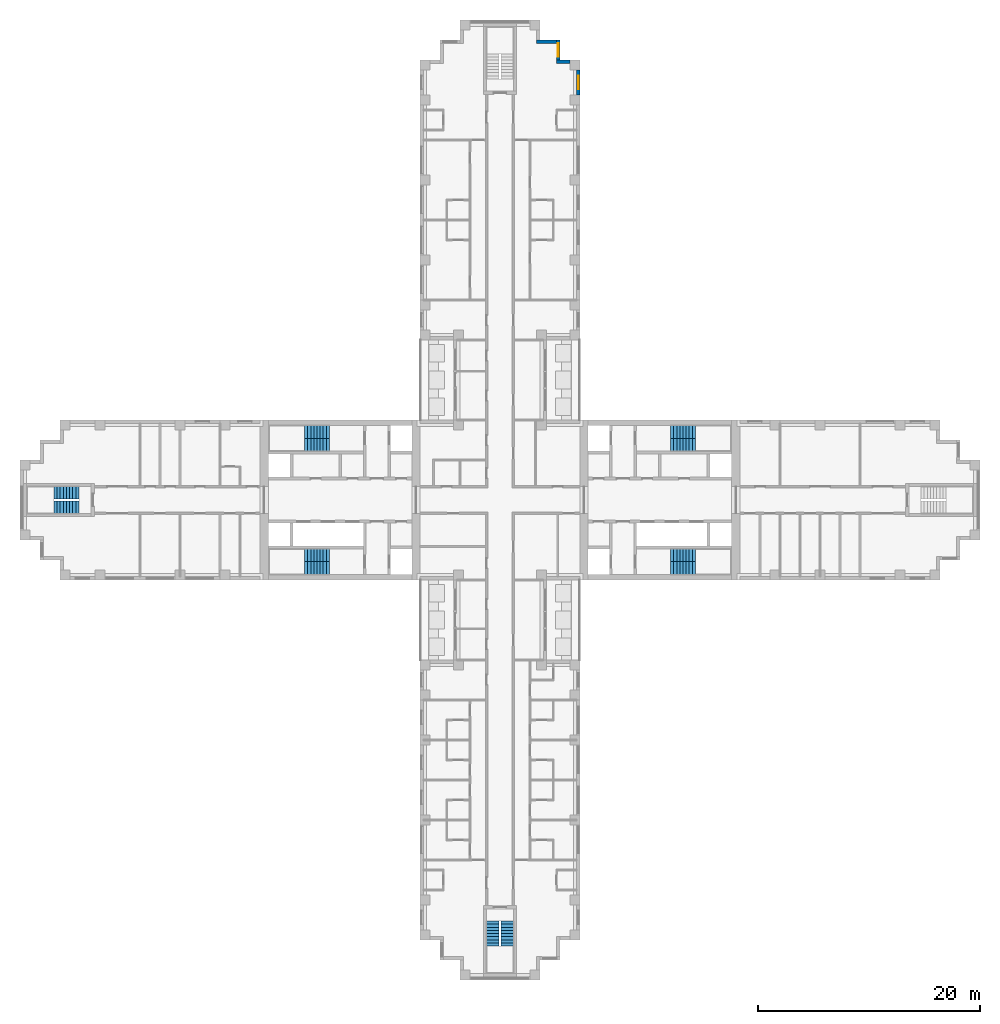
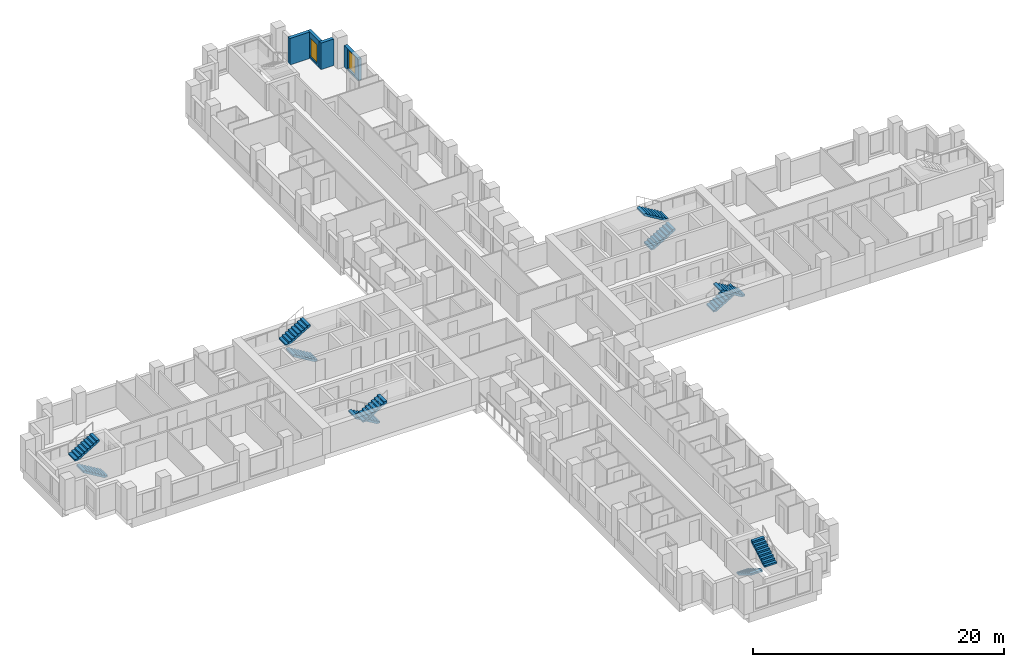
# One storey, part 13 of 16: 12 stair flights, 4 walls, 2 windows, 2 openings, 6 elements without a shape of their own.
"""IFC4 building model written with IfcOpenShell, lengths in metres."""

from ifc_helpers import new_model, si_unit, direction, frame, frame_2d, origin, place, context, subcontext, project, spatial, polyline, rectangle, outline, extrude, material, layer, layer_set, type_object, element, fill, aggregate, save


model = new_model("IFC4")

# Units and contexts
model_context = context("Model", 3, precision=1e-05, world=origin(), true_north=direction((0.0, 1.0)))
body_context = subcontext(model_context, "Body", "Model", "MODEL_VIEW")
ifc_project = project(units=[si_unit("LENGTHUNIT", "METRE"), si_unit("AREAUNIT", "SQUARE_METRE"), si_unit("VOLUMEUNIT", "CUBIC_METRE"), si_unit("PLANEANGLEUNIT", "RADIAN"), si_unit("MASSUNIT", "GRAM", prefix="KILO")], contexts=[model_context])

# Site, building, storey
site_placement = place(None, origin())
site = spatial("IfcSite", under=ifc_project, at=site_placement, CompositionType="ELEMENT")
building_placement = place(site_placement, origin())
building = spatial("IfcBuilding", under=site, at=building_placement, Name="Fustian Cross Tower", CompositionType="ELEMENT")
storey_placement = place(building_placement, frame((0.0, 0.0, 23.699951171875)))
storey = spatial("IfcBuildingStorey", under=building, at=storey_placement, Name="L06", CompositionType="ELEMENT", Elevation=23.699951171875)

# Wall, opening, window
ifc_material_1 = material(Name="Dark aluminium cladding on insulated backing wall", Category="aluminium")
ifc_layer = layer(ifc_material_1, 0.300048828125)
ifc_layer_set = layer_set([ifc_layer], Name="Dark aluminium cladding on insulated backing wall")
wall_type = type_object("IfcWallType", Name="XW1 EXTERNAL WALL 300", PredefinedType="SOLIDWALL", material=ifc_layer_set)
wall_1_placement = place(storey_placement, frame((7.050048828125, 36.449951171875, 0.0), z_axis=(0.0, 0.0, 1.0), x_axis=(0.0, 1.0, 0.0)))
wall_1 = element("IfcWall", 1, at=wall_1_placement, inside=storey, type_object=wall_type, Name="External wall", PredefinedType="SOLIDWALL", context=body_context, shape_type="SweptSolid", body=[
    extrude(rectangle(XDim=2.25, YDim=0.300048828125, at=frame_2d((1.125, 0.0))), origin(), (0.0, 0.0, 1.0), 2.10009765625),
])
opening_1_placement = place(wall_1_placement, frame((0.52490234375, 0.0, 0.199951171875)))
opening_1 = element("IfcOpeningElement", 2, at=opening_1_placement, cuts=wall_1, Name="Opening WN3", PredefinedType="OPENING", context=body_context, shape_type="SweptSolid", body=[
    extrude(rectangle(XDim=1.199951171875, YDim=1.85009765625, at=frame_2d((0.60009765625, 0.925048828125))), frame((0.0, 0.159912109375, 0.0), z_axis=(0.0, -1.0, 0.0), x_axis=(1.0, 0.0, 0.0)), (0.0, 0.0, 1.0), 0.320068359375),
])
ifc_material_2 = material(Name="Dark anodised aluminium and double glazing", Category="aluminium")
window_type = type_object("IfcWindowType", Name="WN3 WINDOW 1200X1850", PartitioningType="SINGLE_PANEL", PredefinedType="WINDOW", material=ifc_material_2)
window_1_placement = place(opening_1_placement, origin())
window_1 = element("IfcWindow", 3, at=window_1_placement, inside=storey, type_object=window_type, Name="Window", OverallHeight=1.85009765625, OverallWidth=1.199951171875, PartitioningType="SINGLE_PANEL", PredefinedType="WINDOW", context=body_context, shape_type="SweptSolid", body=[
    extrude(rectangle(XDim=1.199951171875, YDim=1.85009765625, at=frame_2d((0.60009765625, 0.925048828125))), frame((0.0, 0.030029296875, 0.0), z_axis=(0.0, -1.0, 0.0), x_axis=(1.0, 0.0, 0.0)), (0.0, 0.0, 1.0), 0.06005859375),
])
fill(opening_1, window_1)

# Wall
wall_2_placement = place(storey_placement, frame((6.300048828125, 39.449951171875, 0.0), z_axis=(0.0, 0.0, 1.0), x_axis=(-1.0, 0.0, 0.0)))
element("IfcWall", 4, at=wall_2_placement, inside=storey, type_object=wall_type, Name="External wall", PredefinedType="SOLIDWALL", context=body_context, shape_type="SweptSolid", body=[
    extrude(rectangle(XDim=1.199951171875, YDim=0.300048828125, at=frame_2d((0.60009765625, 0.0))), origin(), (0.0, 0.0, 1.0), 2.574951171875),
])

# Wall, opening, window
wall_3_placement = place(storey_placement, frame((5.25, 39.60009765625, 0.0), z_axis=(0.0, 0.0, 1.0), x_axis=(0.0, 1.0, 0.0)))
wall_3 = element("IfcWall", 5, at=wall_3_placement, inside=storey, type_object=wall_type, Name="External wall", PredefinedType="SOLIDWALL", context=body_context, shape_type="SweptSolid", body=[
    extrude(rectangle(XDim=1.7998046875, YDim=0.300048828125, at=frame_2d((0.89990234375, 0.0))), origin(), (0.0, 0.0, 1.0), 2.574951171875),
])
opening_2_placement = place(wall_3_placement, frame((0.300048828125, 0.0, 0.199951171875)))
opening_2 = element("IfcOpeningElement", 6, at=opening_2_placement, cuts=wall_3, Name="Opening WN3", PredefinedType="OPENING", context=body_context, shape_type="SweptSolid", body=[
    extrude(rectangle(XDim=1.199951171875, YDim=1.85009765625, at=frame_2d((0.60009765625, 0.925048828125))), frame((0.0, 0.159912109375, 0.0), z_axis=(0.0, -1.0, 0.0), x_axis=(1.0, 0.0, 0.0)), (0.0, 0.0, 1.0), 0.320068359375),
])
window_2_placement = place(opening_2_placement, origin())
window_2 = element("IfcWindow", 7, at=window_2_placement, inside=storey, type_object=window_type, Name="Window", OverallHeight=1.85009765625, OverallWidth=1.199951171875, PartitioningType="SINGLE_PANEL", PredefinedType="WINDOW", context=body_context, shape_type="SweptSolid", body=[
    extrude(rectangle(XDim=1.199951171875, YDim=1.85009765625, at=frame_2d((0.60009765625, 0.925048828125))), frame((0.0, 0.030029296875, 0.0), z_axis=(0.0, -1.0, 0.0), x_axis=(1.0, 0.0, 0.0)), (0.0, 0.0, 1.0), 0.06005859375),
])
fill(opening_2, window_2)

# Wall
wall_4_placement = place(storey_placement, frame((5.10009765625, 41.25, 0.0), z_axis=(0.0, 0.0, 1.0), x_axis=(-1.0, 0.0, 0.0)))
element("IfcWall", 8, at=wall_4_placement, inside=storey, type_object=wall_type, Name="External wall", PredefinedType="SOLIDWALL", context=body_context, shape_type="SweptSolid", body=[
    extrude(rectangle(XDim=1.800048828125, YDim=0.300048828125, at=frame_2d((0.89990234375, 0.0))), origin(), (0.0, 0.0, 1.0), 2.574951171875),
])

# Stair, stair flights
ifc_material_3 = material(Name="Concrete C50/60", Category="concrete")
stair_type_1 = type_object("IfcStairType", Name="STAIR 1100 HALF TURN", PredefinedType="HALF_TURN_STAIR", material=ifc_material_3)
stair_1_placement = place(storey_placement, origin())
stair_1 = element("IfcStair", 9, at=stair_1_placement, inside=storey, type_object=stair_type_1, Name="Stair ST6", PredefinedType="HALF_TURN_STAIR")
ifc_material_4 = material(Name="Concrete C50/60", Category="concrete")
stair_flight_type_1 = type_object("IfcStairFlightType", Name="STAIR FLIGHT 1100", PredefinedType="STRAIGHT", material=ifc_material_4)
stair_flight_1_placement = place(storey_placement, frame((-0.64990234375, -37.89990234375, 0.0), z_axis=(0.0, 0.0, 1.0), x_axis=(0.0, -1.0, 0.0)))
stair_flight_1 = element("IfcStairFlight", 10, at=stair_flight_1_placement, type_object=stair_flight_type_1, Name="ST6 flight 1", NumberOfRisers=9, NumberOfTreads=8, PredefinedType="STRAIGHT", RiserHeight=0.166666667, TreadLength=0.28, context=body_context, shape_type="SweptSolid", body=[
    extrude(outline(polyline([(0.0, 0.0), (0.0, 0.166748046875), (0.280029296875, 0.166748046875), (0.280029296875, 0.333251953125), (0.56005859375, 0.333251953125), (0.56005859375, 0.5), (0.840087890625, 0.5), (0.840087890625, 0.666748046875), (1.1201171875, 0.666748046875), (1.1201171875, 0.833251953125), (1.39990234375, 0.833251953125), (1.39990234375, 1.0), (1.679931640625, 1.0), (1.679931640625, 1.166748046875), (1.9599609375, 1.166748046875), (1.9599609375, 1.333251953125), (2.239990234375, 1.333251953125), (2.239990234375, 1.5), (2.239990234375, 1.158935546875), (0.29296875, 0.0), (0.0, 0.0)])), frame((0.0, 0.550048828125, 0.0), z_axis=(0.0, -1.0, 0.0), x_axis=(1.0, 0.0, 0.0)), (0.0, 0.0, 1.0), 1.10009765625),
])
stair_flight_2_placement = place(storey_placement, frame((0.64990234375, -40.139892578125, 1.5), z_axis=(0.0, 0.0, 1.0), x_axis=(0.0, 1.0, 0.0)))
stair_flight_2 = element("IfcStairFlight", 11, at=stair_flight_2_placement, type_object=stair_flight_type_1, Name="ST6 flight 2", NumberOfRisers=9, NumberOfTreads=8, PredefinedType="STRAIGHT", RiserHeight=0.166666667, TreadLength=0.28, context=body_context, shape_type="SweptSolid", body=[
    extrude(outline(polyline([(0.0, 0.0), (0.0, 0.166748046875), (0.280029296875, 0.166748046875), (0.280029296875, 0.333251953125), (0.56005859375, 0.333251953125), (0.56005859375, 0.5), (0.840087890625, 0.5), (0.840087890625, 0.666748046875), (1.1201171875, 0.666748046875), (1.1201171875, 0.833251953125), (1.39990234375, 0.833251953125), (1.39990234375, 1.0), (1.679931640625, 1.0), (1.679931640625, 1.166748046875), (1.9599609375, 1.166748046875), (1.9599609375, 1.333251953125), (2.239990234375, 1.333251953125), (2.239990234375, 1.5), (2.239990234375, 1.158935546875), (0.29296875, 0.0), (0.0, 0.0)])), frame((0.0, 0.550048828125, 0.0), z_axis=(0.0, -1.0, 0.0), x_axis=(1.0, 0.0, 0.0)), (0.0, 0.0, 1.0), 1.10009765625),
])
aggregate(stair_1, [stair_flight_1, stair_flight_2])

stair_2_placement = place(storey_placement, origin())
stair_2 = element("IfcStair", 12, at=stair_2_placement, inside=storey, type_object=stair_type_1, Name="Stair ST9", PredefinedType="HALF_TURN_STAIR")
stair_flight_3_placement = place(storey_placement, frame((-37.89990234375, -0.64990234375, 0.0), z_axis=(0.0, 0.0, 1.0), x_axis=(-1.0, 0.0, 0.0)))
stair_flight_3 = element("IfcStairFlight", 13, at=stair_flight_3_placement, type_object=stair_flight_type_1, Name="ST9 flight 1", NumberOfRisers=9, NumberOfTreads=8, PredefinedType="STRAIGHT", RiserHeight=0.166666667, TreadLength=0.28, context=body_context, shape_type="SweptSolid", body=[
    extrude(outline(polyline([(0.0, 0.0), (0.0, 0.166748046875), (0.280029296875, 0.166748046875), (0.280029296875, 0.333251953125), (0.56005859375, 0.333251953125), (0.56005859375, 0.5), (0.840087890625, 0.5), (0.840087890625, 0.666748046875), (1.1201171875, 0.666748046875), (1.1201171875, 0.833251953125), (1.39990234375, 0.833251953125), (1.39990234375, 1.0), (1.679931640625, 1.0), (1.679931640625, 1.166748046875), (1.9599609375, 1.166748046875), (1.9599609375, 1.333251953125), (2.239990234375, 1.333251953125), (2.239990234375, 1.5), (2.239990234375, 1.158935546875), (0.29296875, 0.0), (0.0, 0.0)])), frame((0.0, 0.550048828125, 0.0), z_axis=(0.0, -1.0, 0.0), x_axis=(1.0, 0.0, 0.0)), (0.0, 0.0, 1.0), 1.10009765625),
])
stair_flight_4_placement = place(storey_placement, frame((-40.139892578125, 0.64990234375, 1.5), z_axis=(0.0, 0.0, 1.0), x_axis=(1.0, 0.0, 0.0)))
stair_flight_4 = element("IfcStairFlight", 14, at=stair_flight_4_placement, type_object=stair_flight_type_1, Name="ST9 flight 2", NumberOfRisers=9, NumberOfTreads=8, PredefinedType="STRAIGHT", RiserHeight=0.166666667, TreadLength=0.28, context=body_context, shape_type="SweptSolid", body=[
    extrude(outline(polyline([(0.0, 0.0), (0.0, 0.166748046875), (0.280029296875, 0.166748046875), (0.280029296875, 0.333251953125), (0.56005859375, 0.333251953125), (0.56005859375, 0.5), (0.840087890625, 0.5), (0.840087890625, 0.666748046875), (1.1201171875, 0.666748046875), (1.1201171875, 0.833251953125), (1.39990234375, 0.833251953125), (1.39990234375, 1.0), (1.679931640625, 1.0), (1.679931640625, 1.166748046875), (1.9599609375, 1.166748046875), (1.9599609375, 1.333251953125), (2.239990234375, 1.333251953125), (2.239990234375, 1.5), (2.239990234375, 1.158935546875), (0.29296875, 0.0), (0.0, 0.0)])), frame((0.0, 0.550048828125, 0.0), z_axis=(0.0, -1.0, 0.0), x_axis=(1.0, 0.0, 0.0)), (0.0, 0.0, 1.0), 1.10009765625),
])
aggregate(stair_2, [stair_flight_3, stair_flight_4])

ifc_material_5 = material(Name="Concrete C50/60", Category="concrete")
stair_type_2 = type_object("IfcStairType", Name="STAIR 1150 HALF TURN", PredefinedType="HALF_TURN_STAIR", material=ifc_material_5)
stair_3_placement = place(storey_placement, origin())
stair_3 = element("IfcStair", 15, at=stair_3_placement, inside=storey, type_object=stair_type_2, Name="Stair ST1", PredefinedType="HALF_TURN_STAIR")
ifc_material_6 = material(Name="Concrete C50/60", Category="concrete")
stair_flight_type_2 = type_object("IfcStairFlightType", Name="STAIR FLIGHT 1150", PredefinedType="STRAIGHT", material=ifc_material_6)
stair_flight_5_placement = place(storey_placement, frame((15.35009765625, 4.97509765625, 0.0), z_axis=(0.0, 0.0, 1.0), x_axis=(1.0, 0.0, 0.0)))
stair_flight_5 = element("IfcStairFlight", 16, at=stair_flight_5_placement, type_object=stair_flight_type_2, Name="ST1 flight 1", NumberOfRisers=9, NumberOfTreads=8, PredefinedType="STRAIGHT", RiserHeight=0.166666667, TreadLength=0.28, context=body_context, shape_type="SweptSolid", body=[
    extrude(outline(polyline([(0.0, 0.0), (0.0, 0.166748046875), (0.280029296875, 0.166748046875), (0.280029296875, 0.333251953125), (0.56005859375, 0.333251953125), (0.56005859375, 0.5), (0.840087890625, 0.5), (0.840087890625, 0.666748046875), (1.1201171875, 0.666748046875), (1.1201171875, 0.833251953125), (1.39990234375, 0.833251953125), (1.39990234375, 1.0), (1.679931640625, 1.0), (1.679931640625, 1.166748046875), (1.9599609375, 1.166748046875), (1.9599609375, 1.333251953125), (2.239990234375, 1.333251953125), (2.239990234375, 1.5), (2.239990234375, 1.158935546875), (0.29296875, 0.0), (0.0, 0.0)])), frame((0.0, 0.574951171875, 0.0), z_axis=(0.0, -1.0, 0.0), x_axis=(1.0, 0.0, 0.0)), (0.0, 0.0, 1.0), 1.14990234375),
])
stair_flight_6_placement = place(storey_placement, frame((17.590087890625, 6.125, 1.5), z_axis=(0.0, 0.0, 1.0), x_axis=(-1.0, 0.0, 0.0)))
stair_flight_6 = element("IfcStairFlight", 17, at=stair_flight_6_placement, type_object=stair_flight_type_2, Name="ST1 flight 2", NumberOfRisers=9, NumberOfTreads=8, PredefinedType="STRAIGHT", RiserHeight=0.166666667, TreadLength=0.28, context=body_context, shape_type="SweptSolid", body=[
    extrude(outline(polyline([(0.0, 0.0), (0.0, 0.166748046875), (0.280029296875, 0.166748046875), (0.280029296875, 0.333251953125), (0.56005859375, 0.333251953125), (0.56005859375, 0.5), (0.840087890625, 0.5), (0.840087890625, 0.666748046875), (1.1201171875, 0.666748046875), (1.1201171875, 0.833251953125), (1.39990234375, 0.833251953125), (1.39990234375, 1.0), (1.679931640625, 1.0), (1.679931640625, 1.166748046875), (1.9599609375, 1.166748046875), (1.9599609375, 1.333251953125), (2.239990234375, 1.333251953125), (2.239990234375, 1.5), (2.239990234375, 1.158935546875), (0.29296875, 0.0), (0.0, 0.0)])), frame((0.0, 0.574951171875, 0.0), z_axis=(0.0, -1.0, 0.0), x_axis=(1.0, 0.0, 0.0)), (0.0, 0.0, 1.0), 1.14990234375),
])
aggregate(stair_3, [stair_flight_5, stair_flight_6])

stair_4_placement = place(storey_placement, origin())
stair_4 = element("IfcStair", 18, at=stair_4_placement, inside=storey, type_object=stair_type_2, Name="Stair ST2", PredefinedType="HALF_TURN_STAIR")
stair_flight_7_placement = place(storey_placement, frame((15.35009765625, -4.97509765625, 0.0), z_axis=(0.0, 0.0, 1.0), x_axis=(1.0, 0.0, 0.0)))
stair_flight_7 = element("IfcStairFlight", 19, at=stair_flight_7_placement, type_object=stair_flight_type_2, Name="ST2 flight 1", NumberOfRisers=9, NumberOfTreads=8, PredefinedType="STRAIGHT", RiserHeight=0.166666667, TreadLength=0.28, context=body_context, shape_type="SweptSolid", body=[
    extrude(outline(polyline([(0.0, 0.0), (0.0, 0.166748046875), (0.280029296875, 0.166748046875), (0.280029296875, 0.333251953125), (0.56005859375, 0.333251953125), (0.56005859375, 0.5), (0.840087890625, 0.5), (0.840087890625, 0.666748046875), (1.1201171875, 0.666748046875), (1.1201171875, 0.833251953125), (1.39990234375, 0.833251953125), (1.39990234375, 1.0), (1.679931640625, 1.0), (1.679931640625, 1.166748046875), (1.9599609375, 1.166748046875), (1.9599609375, 1.333251953125), (2.239990234375, 1.333251953125), (2.239990234375, 1.5), (2.239990234375, 1.158935546875), (0.29296875, 0.0), (0.0, 0.0)])), frame((0.0, 0.574951171875, 0.0), z_axis=(0.0, -1.0, 0.0), x_axis=(1.0, 0.0, 0.0)), (0.0, 0.0, 1.0), 1.14990234375),
])
stair_flight_8_placement = place(storey_placement, frame((17.590087890625, -6.125, 1.5), z_axis=(0.0, 0.0, 1.0), x_axis=(-1.0, 0.0, 0.0)))
stair_flight_8 = element("IfcStairFlight", 20, at=stair_flight_8_placement, type_object=stair_flight_type_2, Name="ST2 flight 2", NumberOfRisers=9, NumberOfTreads=8, PredefinedType="STRAIGHT", RiserHeight=0.166666667, TreadLength=0.28, context=body_context, shape_type="SweptSolid", body=[
    extrude(outline(polyline([(0.0, 0.0), (0.0, 0.166748046875), (0.280029296875, 0.166748046875), (0.280029296875, 0.333251953125), (0.56005859375, 0.333251953125), (0.56005859375, 0.5), (0.840087890625, 0.5), (0.840087890625, 0.666748046875), (1.1201171875, 0.666748046875), (1.1201171875, 0.833251953125), (1.39990234375, 0.833251953125), (1.39990234375, 1.0), (1.679931640625, 1.0), (1.679931640625, 1.166748046875), (1.9599609375, 1.166748046875), (1.9599609375, 1.333251953125), (2.239990234375, 1.333251953125), (2.239990234375, 1.5), (2.239990234375, 1.158935546875), (0.29296875, 0.0), (0.0, 0.0)])), frame((0.0, 0.574951171875, 0.0), z_axis=(0.0, -1.0, 0.0), x_axis=(1.0, 0.0, 0.0)), (0.0, 0.0, 1.0), 1.14990234375),
])
aggregate(stair_4, [stair_flight_7, stair_flight_8])

stair_5_placement = place(storey_placement, origin())
stair_5 = element("IfcStair", 21, at=stair_5_placement, inside=storey, type_object=stair_type_2, Name="Stair ST3", PredefinedType="HALF_TURN_STAIR")
stair_flight_9_placement = place(storey_placement, frame((-15.35009765625, 4.97509765625, 0.0), z_axis=(0.0, 0.0, 1.0), x_axis=(-1.0, 0.0, 0.0)))
stair_flight_9 = element("IfcStairFlight", 22, at=stair_flight_9_placement, type_object=stair_flight_type_2, Name="ST3 flight 1", NumberOfRisers=9, NumberOfTreads=8, PredefinedType="STRAIGHT", RiserHeight=0.166666667, TreadLength=0.28, context=body_context, shape_type="SweptSolid", body=[
    extrude(outline(polyline([(0.0, 0.0), (0.0, 0.166748046875), (0.280029296875, 0.166748046875), (0.280029296875, 0.333251953125), (0.56005859375, 0.333251953125), (0.56005859375, 0.5), (0.840087890625, 0.5), (0.840087890625, 0.666748046875), (1.1201171875, 0.666748046875), (1.1201171875, 0.833251953125), (1.39990234375, 0.833251953125), (1.39990234375, 1.0), (1.679931640625, 1.0), (1.679931640625, 1.166748046875), (1.9599609375, 1.166748046875), (1.9599609375, 1.333251953125), (2.239990234375, 1.333251953125), (2.239990234375, 1.5), (2.239990234375, 1.158935546875), (0.29296875, 0.0), (0.0, 0.0)])), frame((0.0, 0.574951171875, 0.0), z_axis=(0.0, -1.0, 0.0), x_axis=(1.0, 0.0, 0.0)), (0.0, 0.0, 1.0), 1.14990234375),
])
stair_flight_10_placement = place(storey_placement, frame((-17.590087890625, 6.125, 1.5), z_axis=(0.0, 0.0, 1.0), x_axis=(1.0, 0.0, 0.0)))
stair_flight_10 = element("IfcStairFlight", 23, at=stair_flight_10_placement, type_object=stair_flight_type_2, Name="ST3 flight 2", NumberOfRisers=9, NumberOfTreads=8, PredefinedType="STRAIGHT", RiserHeight=0.166666667, TreadLength=0.28, context=body_context, shape_type="SweptSolid", body=[
    extrude(outline(polyline([(0.0, 0.0), (0.0, 0.166748046875), (0.280029296875, 0.166748046875), (0.280029296875, 0.333251953125), (0.56005859375, 0.333251953125), (0.56005859375, 0.5), (0.840087890625, 0.5), (0.840087890625, 0.666748046875), (1.1201171875, 0.666748046875), (1.1201171875, 0.833251953125), (1.39990234375, 0.833251953125), (1.39990234375, 1.0), (1.679931640625, 1.0), (1.679931640625, 1.166748046875), (1.9599609375, 1.166748046875), (1.9599609375, 1.333251953125), (2.239990234375, 1.333251953125), (2.239990234375, 1.5), (2.239990234375, 1.158935546875), (0.29296875, 0.0), (0.0, 0.0)])), frame((0.0, 0.574951171875, 0.0), z_axis=(0.0, -1.0, 0.0), x_axis=(1.0, 0.0, 0.0)), (0.0, 0.0, 1.0), 1.14990234375),
])
aggregate(stair_5, [stair_flight_9, stair_flight_10])

stair_6_placement = place(storey_placement, origin())
stair_6 = element("IfcStair", 24, at=stair_6_placement, inside=storey, type_object=stair_type_2, Name="Stair ST4", PredefinedType="HALF_TURN_STAIR")
stair_flight_11_placement = place(storey_placement, frame((-15.35009765625, -4.97509765625, 0.0), z_axis=(0.0, 0.0, 1.0), x_axis=(-1.0, 0.0, 0.0)))
stair_flight_11 = element("IfcStairFlight", 25, at=stair_flight_11_placement, type_object=stair_flight_type_2, Name="ST4 flight 1", NumberOfRisers=9, NumberOfTreads=8, PredefinedType="STRAIGHT", RiserHeight=0.166666667, TreadLength=0.28, context=body_context, shape_type="SweptSolid", body=[
    extrude(outline(polyline([(0.0, 0.0), (0.0, 0.166748046875), (0.280029296875, 0.166748046875), (0.280029296875, 0.333251953125), (0.56005859375, 0.333251953125), (0.56005859375, 0.5), (0.840087890625, 0.5), (0.840087890625, 0.666748046875), (1.1201171875, 0.666748046875), (1.1201171875, 0.833251953125), (1.39990234375, 0.833251953125), (1.39990234375, 1.0), (1.679931640625, 1.0), (1.679931640625, 1.166748046875), (1.9599609375, 1.166748046875), (1.9599609375, 1.333251953125), (2.239990234375, 1.333251953125), (2.239990234375, 1.5), (2.239990234375, 1.158935546875), (0.29296875, 0.0), (0.0, 0.0)])), frame((0.0, 0.574951171875, 0.0), z_axis=(0.0, -1.0, 0.0), x_axis=(1.0, 0.0, 0.0)), (0.0, 0.0, 1.0), 1.14990234375),
])
stair_flight_12_placement = place(storey_placement, frame((-17.590087890625, -6.125, 1.5), z_axis=(0.0, 0.0, 1.0), x_axis=(1.0, 0.0, 0.0)))
stair_flight_12 = element("IfcStairFlight", 26, at=stair_flight_12_placement, type_object=stair_flight_type_2, Name="ST4 flight 2", NumberOfRisers=9, NumberOfTreads=8, PredefinedType="STRAIGHT", RiserHeight=0.166666667, TreadLength=0.28, context=body_context, shape_type="SweptSolid", body=[
    extrude(outline(polyline([(0.0, 0.0), (0.0, 0.166748046875), (0.280029296875, 0.166748046875), (0.280029296875, 0.333251953125), (0.56005859375, 0.333251953125), (0.56005859375, 0.5), (0.840087890625, 0.5), (0.840087890625, 0.666748046875), (1.1201171875, 0.666748046875), (1.1201171875, 0.833251953125), (1.39990234375, 0.833251953125), (1.39990234375, 1.0), (1.679931640625, 1.0), (1.679931640625, 1.166748046875), (1.9599609375, 1.166748046875), (1.9599609375, 1.333251953125), (2.239990234375, 1.333251953125), (2.239990234375, 1.5), (2.239990234375, 1.158935546875), (0.29296875, 0.0), (0.0, 0.0)])), frame((0.0, 0.574951171875, 0.0), z_axis=(0.0, -1.0, 0.0), x_axis=(1.0, 0.0, 0.0)), (0.0, 0.0, 1.0), 1.14990234375),
])
aggregate(stair_6, [stair_flight_11, stair_flight_12])

save(model, "model.ifc")
